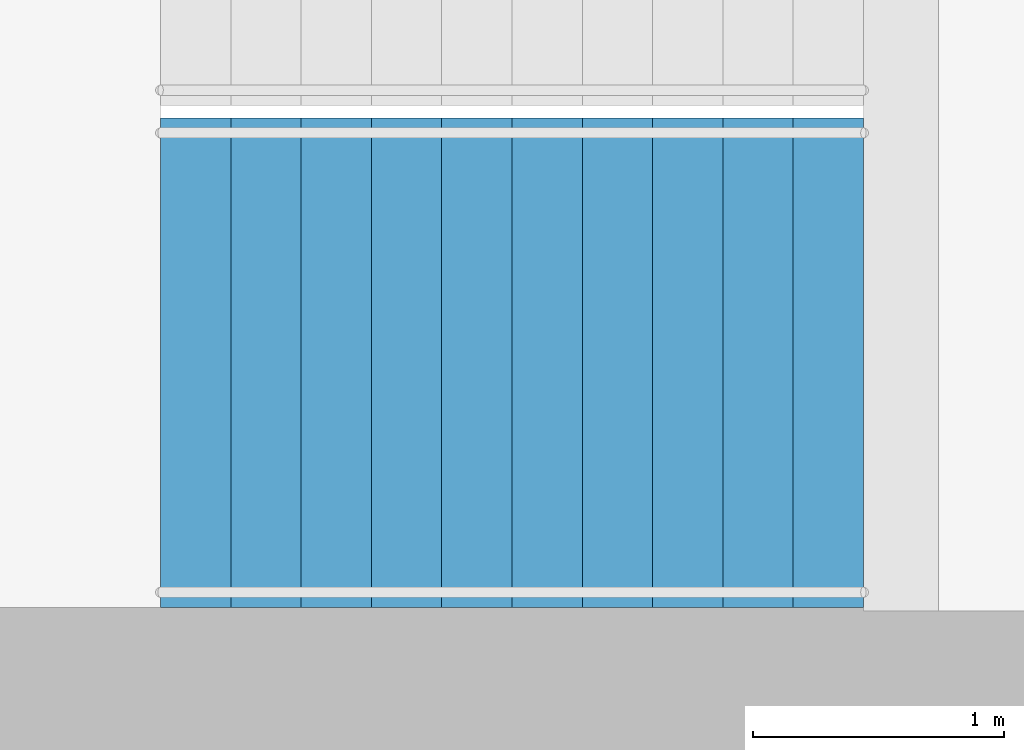
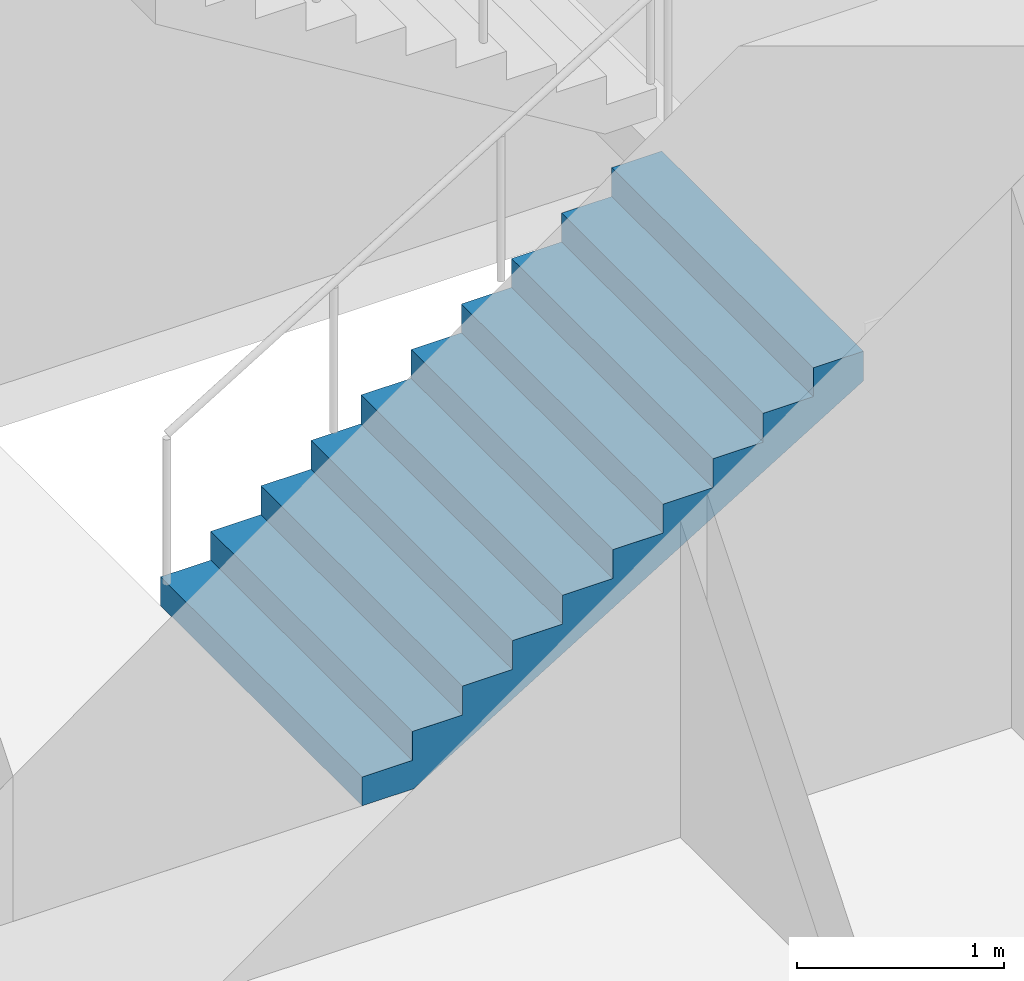
# One storey, part 19 of 23: 1 stair flight, 1 element without a shape of its own.
"""IFC4 building model written with IfcOpenShell, lengths in metres."""

import ifcopenshell
import ifcopenshell.guid

model = None  # the IFC model being written
_history = None  # IfcOwnerHistory: only IFC2X3 demands one
_inside = {}  # id of a spatial element -> (the spatial element, [elements in it])
_under = {}  # id of a project, library or spatial element -> (it, [spatial elements below it])
_declared = {}  # id of a project -> (the project, [libraries it declares])
_typed = {}  # id of a type object -> (the type object, [elements of that type])
_made_of = {}  # id of a material, layer set ... -> (it, [elements and type objects made of it])


def new_model(schema):
    """Start an empty IFC model of exactly this schema.

    Asked for "IFC4X3", IfcOpenShell would pick the latest addendum, in which some entities
    have other attributes; the version numbers below select the first issue.
    IFC2X3 requires an IfcOwnerHistory on every rooted entity: one is made here for all.
    """
    global model, _history
    if schema == "IFC4X3":
        model = ifcopenshell.file(schema_version=(4, 3, 0, 0))
    else:
        model = ifcopenshell.file(schema=schema)
    _inside.clear()
    _under.clear()
    _declared.clear()
    _typed.clear()
    _made_of.clear()
    _history = None
    if model.schema == "IFC2X3":
        org = make("IfcOrganization", Name="unknown")
        user = make(
            "IfcPersonAndOrganization",
            ThePerson=make("IfcPerson", FamilyName="unknown"),
            TheOrganization=org,
        )
        app = make(
            "IfcApplication",
            ApplicationDeveloper=org,
            Version="unknown",
            ApplicationFullName="unknown",
            ApplicationIdentifier="unknown",
        )
        _history = make(
            "IfcOwnerHistory",
            OwningUser=user,
            OwningApplication=app,
            ChangeAction="ADDED",
            CreationDate=0,
        )
    return model


def make(cls, **values):
    """One entity of the class cls with the attributes given. An attribute that is None is left unset."""
    return model.create_entity(
        cls, **{name: value for name, value in values.items() if value is not None}
    )


def rooted(cls, **values):
    """An entity with a GlobalId (a new one), such as an element, a storey or a relation."""
    return make(cls, GlobalId=ifcopenshell.guid.new(), OwnerHistory=_history, **values)


def si_unit(unit_type, name, prefix=None):
    """IfcSIUnit, for example si_unit("LENGTHUNIT", "METRE", prefix="MILLI")."""
    return make("IfcSIUnit", UnitType=unit_type, Prefix=prefix, Name=name)


def assignment(units):
    """IfcUnitAssignment: the units of a project."""
    return None if units is None else make("IfcUnitAssignment", Units=units)


def point(xyz):
    """IfcCartesianPoint."""
    return None if xyz is None else make("IfcCartesianPoint", Coordinates=xyz)


def direction(xyz):
    """IfcDirection."""
    return None if xyz is None else make("IfcDirection", DirectionRatios=xyz)


def frame(location, z_axis=None, x_axis=None):
    """IfcAxis2Placement3D, a coordinate frame: its origin and axes. An axis left out is left unset."""
    return make(
        "IfcAxis2Placement3D",
        Location=point(location),
        Axis=direction(z_axis),
        RefDirection=direction(x_axis),
    )


def origin():
    """The frame at (0, 0, 0) with its axes left unset."""
    return frame((0.0, 0.0, 0.0))


def place(relative_to, where):
    """IfcLocalPlacement: puts the frame where relative to a parent placement (None: the world)."""
    return make(
        "IfcLocalPlacement", PlacementRelTo=relative_to, RelativePlacement=where
    )


def context(
    kind, dimensions, precision=None, world=None, true_north=None, identifier=None
):
    """IfcGeometricRepresentationContext, for example the 3D "Model" context."""
    return make(
        "IfcGeometricRepresentationContext",
        ContextIdentifier=identifier,
        ContextType=kind,
        CoordinateSpaceDimension=dimensions,
        Precision=precision,
        WorldCoordinateSystem=world,
        TrueNorth=true_north,
    )


def subcontext(parent, identifier, kind, view, scale=None):
    """IfcGeometricRepresentationSubContext, for example "Body" below "Model"."""
    return make(
        "IfcGeometricRepresentationSubContext",
        ContextIdentifier=identifier,
        ContextType=kind,
        ParentContext=parent,
        TargetScale=scale,
        TargetView=view,
    )


def project(units=None, contexts=None):
    """IfcProject with its units and contexts."""
    return rooted(
        "IfcProject",
        Name="project",
        RepresentationContexts=contexts,
        UnitsInContext=assignment(units),
    )


def spatial(cls, under=None, at=None, **own):
    """A site, building, storey or space (cls), placed at a placement, below another one or the project."""
    s = rooted(cls, ObjectPlacement=at, **own)
    if under is not None:
        _under.setdefault(under.id(), (under, []))[1].append(s)
    return s


def point_list(points):
    """IfcCartesianPointList2D or 3D."""
    cls = (
        "IfcCartesianPointList2D" if len(points[0]) == 2 else "IfcCartesianPointList3D"
    )
    return make(cls, CoordList=points)


def triangles(points, corners, closed=None, point_numbers=None):
    """IfcTriangulatedFaceSet: each triangle names its three corners, points numbered from 1."""
    return make(
        "IfcTriangulatedFaceSet",
        Coordinates=point_list(points),
        Closed=closed,
        CoordIndex=corners,
        PnIndex=point_numbers,
    )


def shape(context_of_items, identifier, shape_type, items):
    """IfcShapeRepresentation: the items that make up one representation, for example the "Body"."""
    return make(
        "IfcShapeRepresentation",
        ContextOfItems=context_of_items,
        RepresentationIdentifier=identifier,
        RepresentationType=shape_type,
        Items=items,
    )


def material(Name=None, Category=None):
    """IfcMaterial."""
    return make("IfcMaterial", Name=Name, Category=Category)


def made_of(thing, what):
    """Note that an element or type object is made of a material, layer set ...; save() writes the relation."""
    if what is not None:
        _made_of.setdefault(what.id(), (what, []))[1].append(thing)
    return thing


def type_object(cls, material=None, **own):
    """A type object (cls), such as IfcWallType, which elements share."""
    return made_of(rooted(cls, **own), material)


def element(
    cls,
    number,
    at=None,
    inside=None,
    cuts=None,
    type_object=None,
    material=None,
    context=None,
    identifier="Body",
    shape_type=None,
    held_by="IfcProductDefinitionShape",
    body=None,
    shapes=None,
    **own,
):
    """One element of the class cls, such as IfcWall. Its Tag is "e" and its number.

    at: its placement. inside: the storey or other place that contains it. cuts: it is an
    opening in that element (IfcRelVoidsElement). A single representation is given by context,
    identifier, shape_type and body (its items); several are given by shapes. held_by: the class
    of the entity that holds the representations. save() writes the other relations.
    """
    e = rooted(cls, Tag="e%d" % number, ObjectPlacement=at, **own)
    if body is not None:
        shapes = [shape(context, identifier, shape_type, body)]
    if shapes is not None:
        e.Representation = make(held_by, Representations=shapes)
    if inside is not None:
        _inside.setdefault(inside.id(), (inside, []))[1].append(e)
    if cuts is not None:
        rooted(
            "IfcRelVoidsElement", RelatingBuildingElement=cuts, RelatedOpeningElement=e
        )
    if type_object is not None:
        _typed.setdefault(type_object.id(), (type_object, []))[1].append(e)
    return made_of(e, material)


def aggregate(whole, parts):
    """IfcRelAggregates: a whole, such as a stair, and the parts it consists of."""
    return rooted("IfcRelAggregates", RelatingObject=whole, RelatedObjects=parts)


def save(model, path):
    """Write the relations noted so far, then the file.

    IfcRelAggregates (storeys below a building ...), IfcRelContainedInSpatialStructure (elements
    in a storey), IfcRelDefinesByType, IfcRelAssociatesMaterial and IfcRelDeclares: one each for
    every whole, place, type object, material and project.
    """
    for whole, parts in _under.values():
        aggregate(whole, parts)
    for where, things in _inside.values():
        rooted(
            "IfcRelContainedInSpatialStructure",
            RelatedElements=things,
            RelatingStructure=where,
        )
    for kind, things in _typed.values():
        rooted("IfcRelDefinesByType", RelatedObjects=things, RelatingType=kind)
    for what, things in _made_of.values():
        rooted("IfcRelAssociatesMaterial", RelatedObjects=things, RelatingMaterial=what)
    for by, libraries in _declared.values():
        rooted("IfcRelDeclares", RelatingContext=by, RelatedDefinitions=libraries)
    model.write(path)


model = new_model("IFC4")

# Units and contexts
model_context = context("Model", 3, precision=1e-05, world=origin(), true_north=direction((0.0, 1.0)))
body_context = subcontext(model_context, "Body", "Model", "MODEL_VIEW")
ifc_project = project(units=[si_unit("LENGTHUNIT", "METRE"), si_unit("AREAUNIT", "SQUARE_METRE"), si_unit("VOLUMEUNIT", "CUBIC_METRE"), si_unit("PLANEANGLEUNIT", "RADIAN"), si_unit("MASSUNIT", "GRAM", prefix="KILO")], contexts=[model_context])

# Site, building, storey
site_placement = place(None, origin())
site = spatial("IfcSite", under=ifc_project, at=site_placement, CompositionType="ELEMENT")
building_placement = place(site_placement, origin())
building = spatial("IfcBuilding", under=site, at=building_placement, Name="Orbita Commons", CompositionType="ELEMENT")
storey_placement = place(building_placement, frame((0.0, 0.0, 65.199951171875)))
storey = spatial("IfcBuildingStorey", under=building, at=storey_placement, Name="L16", CompositionType="ELEMENT", Elevation=65.199951171875)

# Stair, stair flight
ifc_material_1 = material(Name="Precast concrete C40/50", Category="concrete")
stair_type = type_object("IfcStairType", Name="Exit stair S1 2 flights 11 risers 170", PredefinedType="HALF_TURN_STAIR", material=ifc_material_1)
stair_placement = place(storey_placement, origin())
stair = element("IfcStair", 1, at=stair_placement, inside=storey, type_object=stair_type, Name="Exit stair S1 L16", PredefinedType="HALF_TURN_STAIR")
ifc_material_2 = material(Name="Precast concrete C40/50", Category="concrete")
stair_flight_type = type_object("IfcStairFlightType", Name="Stair flight 11 risers 170 x 280", PredefinedType="STRAIGHT", material=ifc_material_2)
stair_flight_placement = place(storey_placement, frame((20.449951171875, 27.27490234375, 0.0), z_axis=(0.0, 0.0, 1.0), x_axis=(1.0, 0.0, 0.0)))
stair_flight = element("IfcStairFlight", 2, at=stair_flight_placement, type_object=stair_flight_type, Name="S1 flight 1", NumberOfRisers=11, NumberOfTreads=10, PredefinedType="STRAIGHT", RiserHeight=0.170454545, TreadLength=0.28, context=body_context, shape_type="Tessellation", body=[
    triangles([(0.0, 0.974976, 0.0), (0.0, 0.974976, 0.021307), (0.0, 0.81248, 0.021307), (0.0, 0.81248, 0.0), (0.0, 0.649984, 0.021307), (0.0, 0.649984, 0.0), (0.0, 0.487488, 0.021307), (0.0, 0.487488, 0.0), (0.0, 0.324992, 0.021307), (0.0, 0.324992, 0.0), (0.0, 0.162496, 0.021307), (0.0, 0.162496, 0.0), (0.0, 0.0, 0.021307), (0.0, 0.0, 0.0), (0.0, -0.162496, 0.021307), (0.0, -0.162496, 0.0), (0.0, -0.324992, 0.021307), (0.0, -0.324992, 0.0), (0.0, -0.487488, 0.021307), (0.0, -0.487488, 0.0), (0.0, -0.649984, 0.021307), (0.0, -0.649984, 0.0), (0.0, -0.81248, 0.021307), (0.0, -0.81248, 0.0), (0.0, -0.974976, 0.021307), (0.0, -0.974976, 0.0), (0.0, 0.974976, 0.042614), (0.0, 0.81248, 0.042614), (0.0, 0.649984, 0.042614), (0.0, 0.487488, 0.042614), (0.0, 0.324992, 0.042614), (0.0, 0.162496, 0.042614), (0.0, 0.0, 0.042614), (0.0, -0.162496, 0.042614), (0.0, -0.324992, 0.042614), (0.0, -0.487488, 0.042614), (0.0, -0.649984, 0.042614), (0.0, -0.81248, 0.042614), (0.0, -0.974976, 0.042614), (0.0, 0.974976, 0.06392), (0.0, 0.81248, 0.06392), (0.0, 0.649984, 0.06392), (0.0, 0.487488, 0.06392), (0.0, 0.324992, 0.06392), (0.0, 0.162496, 0.06392), (0.0, 0.0, 0.06392), (0.0, -0.162496, 0.06392), (0.0, -0.324992, 0.06392), (0.0, -0.487488, 0.06392), (0.0, -0.649984, 0.06392), (0.0, -0.81248, 0.06392), (0.0, -0.974976, 0.06392), (0.0, 0.974976, 0.085227), (0.0, 0.81248, 0.085227), (0.0, 0.649984, 0.085227), (0.0, 0.487488, 0.085227), (0.0, 0.324992, 0.085227), (0.0, 0.162496, 0.085227), (0.0, 0.0, 0.085227), (0.0, -0.162496, 0.085227), (0.0, -0.324992, 0.085227), (0.0, -0.487488, 0.085227), (0.0, -0.649984, 0.085227), (0.0, -0.81248, 0.085227), (0.0, -0.974976, 0.085227), (0.0, 0.974976, 0.106534), (0.0, 0.81248, 0.106534), (0.0, 0.649984, 0.106534), (0.0, 0.487488, 0.106534), (0.0, 0.324992, 0.106534), (0.0, 0.162496, 0.106534), (0.0, 0.0, 0.106534), (0.0, -0.162496, 0.106534), (0.0, -0.324992, 0.106534), (0.0, -0.487488, 0.106534), (0.0, -0.649984, 0.106534), (0.0, -0.81248, 0.106534), (0.0, -0.974976, 0.106534), (0.0, 0.974976, 0.127841), (0.0, 0.81248, 0.127841), (0.0, 0.649984, 0.127841), (0.0, 0.487488, 0.127841), (0.0, 0.324992, 0.127841), (0.0, 0.162496, 0.127841), (0.0, 0.0, 0.127841), (0.0, -0.162496, 0.127841), (0.0, -0.324992, 0.127841), (0.0, -0.487488, 0.127841), (0.0, -0.649984, 0.127841), (0.0, -0.81248, 0.127841), (0.0, -0.974976, 0.127841), (0.0, 0.974976, 0.149148), (0.0, 0.81248, 0.149148), (0.0, 0.649984, 0.149148), (0.0, 0.487488, 0.149148), (0.0, 0.324992, 0.149148), (0.0, 0.162496, 0.149148), (0.0, 0.0, 0.149148), (0.0, -0.162496, 0.149148), (0.0, -0.324992, 0.149148), (0.0, -0.487488, 0.149148), (0.0, -0.649984, 0.149148), (0.0, -0.81248, 0.149148), (0.0, -0.974976, 0.149148), (0.0, 0.974976, 0.170455), (0.0, 0.81248, 0.170455), (0.0, 0.649984, 0.170455), (0.0, 0.487488, 0.170455), (0.0, 0.324992, 0.170455), (0.0, 0.162496, 0.170455), (0.0, 0.0, 0.170455), (0.0, -0.162496, 0.170455), (0.0, -0.324992, 0.170455), (0.0, -0.487488, 0.170455), (0.0, -0.649984, 0.170455), (0.0, -0.81248, 0.170455), (0.0, -0.974976, 0.170455), (0.28, 0.974976, 0.170455), (0.28, 0.81248, 0.170455), (0.28, 0.649984, 0.170455), (0.28, 0.487488, 0.170455), (0.28, 0.324992, 0.170455), (0.28, 0.162496, 0.170455), (0.28, 0.0, 0.170455), (0.28, -0.162496, 0.170455), (0.28, -0.324992, 0.170455), (0.28, -0.487488, 0.170455), (0.28, -0.649984, 0.170455), (0.28, -0.81248, 0.170455), (0.28, -0.974976, 0.170455), (0.28, 0.974976, 0.340909), (0.28, 0.81248, 0.340909), (0.28, 0.649984, 0.340909), (0.28, 0.487488, 0.340909), (0.28, 0.324992, 0.340909), (0.28, 0.162496, 0.340909), (0.28, 0.0, 0.340909), (0.28, -0.162496, 0.340909), (0.28, -0.324992, 0.340909), (0.28, -0.487488, 0.340909), (0.28, -0.649984, 0.340909), (0.28, -0.81248, 0.340909), (0.28, -0.974976, 0.340909), (0.56, 0.974976, 0.340909), (0.56, 0.81248, 0.340909), (0.56, 0.649984, 0.340909), (0.56, 0.487488, 0.340909), (0.56, 0.324992, 0.340909), (0.56, 0.162496, 0.340909), (0.56, 0.0, 0.340909), (0.56, -0.162496, 0.340909), (0.56, -0.324992, 0.340909), (0.56, -0.487488, 0.340909), (0.56, -0.649984, 0.340909), (0.56, -0.81248, 0.340909), (0.56, -0.974976, 0.340909), (0.56, 0.974976, 0.511364), (0.56, 0.81248, 0.511364), (0.56, 0.649984, 0.511364), (0.56, 0.487488, 0.511364), (0.56, 0.324992, 0.511364), (0.56, 0.162496, 0.511364), (0.56, 0.0, 0.511364), (0.56, -0.162496, 0.511364), (0.56, -0.324992, 0.511364), (0.56, -0.487488, 0.511364), (0.56, -0.649984, 0.511364), (0.56, -0.81248, 0.511364), (0.56, -0.974976, 0.511364), (0.84, 0.974976, 0.511364), (0.84, 0.81248, 0.511364), (0.84, 0.649984, 0.511364), (0.84, 0.487488, 0.511364), (0.84, 0.324992, 0.511364), (0.84, 0.162496, 0.511364), (0.84, 0.0, 0.511364), (0.84, -0.162496, 0.511364), (0.84, -0.324992, 0.511364), (0.84, -0.487488, 0.511364), (0.84, -0.649984, 0.511364), (0.84, -0.81248, 0.511364), (0.84, -0.974976, 0.511364), (0.84, 0.974976, 0.681818), (0.84, 0.81248, 0.681818), (0.84, 0.649984, 0.681818), (0.84, 0.487488, 0.681818), (0.84, 0.324992, 0.681818), (0.84, 0.162496, 0.681818), (0.84, 0.0, 0.681818), (0.84, -0.162496, 0.681818), (0.84, -0.324992, 0.681818), (0.84, -0.487488, 0.681818), (0.84, -0.649984, 0.681818), (0.84, -0.81248, 0.681818), (0.84, -0.974976, 0.681818), (1.12, 0.974976, 0.681818), (1.12, 0.81248, 0.681818), (1.12, 0.649984, 0.681818), (1.12, 0.487488, 0.681818), (1.12, 0.324992, 0.681818), (1.12, 0.162496, 0.681818), (1.12, 0.0, 0.681818), (1.12, -0.162496, 0.681818), (1.12, -0.324992, 0.681818), (1.12, -0.487488, 0.681818), (1.12, -0.649984, 0.681818), (1.12, -0.81248, 0.681818), (1.12, -0.974976, 0.681818), (1.12, 0.974976, 0.852273), (1.12, 0.81248, 0.852273), (1.12, 0.649984, 0.852273), (1.12, 0.487488, 0.852273), (1.12, 0.324992, 0.852273), (1.12, 0.162496, 0.852273), (1.12, 0.0, 0.852273), (1.12, -0.162496, 0.852273), (1.12, -0.324992, 0.852273), (1.12, -0.487488, 0.852273), (1.12, -0.649984, 0.852273), (1.12, -0.81248, 0.852273), (1.12, -0.974976, 0.852273), (1.4, 0.974976, 0.852273), (1.4, 0.81248, 0.852273), (1.4, 0.649984, 0.852273), (1.4, 0.487488, 0.852273), (1.4, 0.324992, 0.852273), (1.4, 0.162496, 0.852273), (1.4, 0.0, 0.852273), (1.4, -0.162496, 0.852273), (1.4, -0.324992, 0.852273), (1.4, -0.487488, 0.852273), (1.4, -0.649984, 0.852273), (1.4, -0.81248, 0.852273), (1.4, -0.974976, 0.852273), (1.4, 0.974976, 1.022727), (1.4, 0.81248, 1.022727), (1.4, 0.649984, 1.022727), (1.4, 0.487488, 1.022727), (1.4, 0.324992, 1.022727), (1.4, 0.162496, 1.022727), (1.4, 0.0, 1.022727), (1.4, -0.162496, 1.022727), (1.4, -0.324992, 1.022727), (1.4, -0.487488, 1.022727), (1.4, -0.649984, 1.022727), (1.4, -0.81248, 1.022727), (1.4, -0.974976, 1.022727), (1.68, 0.974976, 1.022727), (1.68, 0.81248, 1.022727), (1.68, 0.649984, 1.022727), (1.68, 0.487488, 1.022727), (1.68, 0.324992, 1.022727), (1.68, 0.162496, 1.022727), (1.68, 0.0, 1.022727), (1.68, -0.162496, 1.022727), (1.68, -0.324992, 1.022727), (1.68, -0.487488, 1.022727), (1.68, -0.649984, 1.022727), (1.68, -0.81248, 1.022727), (1.68, -0.974976, 1.022727), (1.68, 0.974976, 1.193182), (1.68, 0.81248, 1.193182), (1.68, 0.649984, 1.193182), (1.68, 0.487488, 1.193182), (1.68, 0.324992, 1.193182), (1.68, 0.162496, 1.193182), (1.68, 0.0, 1.193182), (1.68, -0.162496, 1.193182), (1.68, -0.324992, 1.193182), (1.68, -0.487488, 1.193182), (1.68, -0.649984, 1.193182), (1.68, -0.81248, 1.193182), (1.68, -0.974976, 1.193182), (1.96, 0.974976, 1.193182), (1.96, 0.81248, 1.193182), (1.96, 0.649984, 1.193182), (1.96, 0.487488, 1.193182), (1.96, 0.324992, 1.193182), (1.96, 0.162496, 1.193182), (1.96, 0.0, 1.193182), (1.96, -0.162496, 1.193182), (1.96, -0.324992, 1.193182), (1.96, -0.487488, 1.193182), (1.96, -0.649984, 1.193182), (1.96, -0.81248, 1.193182), (1.96, -0.974976, 1.193182), (1.96, 0.974976, 1.363636), (1.96, 0.81248, 1.363636), (1.96, 0.649984, 1.363636), (1.96, 0.487488, 1.363636), (1.96, 0.324992, 1.363636), (1.96, 0.162496, 1.363636), (1.96, 0.0, 1.363636), (1.96, -0.162496, 1.363636), (1.96, -0.324992, 1.363636), (1.96, -0.487488, 1.363636), (1.96, -0.649984, 1.363636), (1.96, -0.81248, 1.363636), (1.96, -0.974976, 1.363636), (2.24, 0.974976, 1.363636), (2.24, 0.81248, 1.363636), (2.24, 0.649984, 1.363636), (2.24, 0.487488, 1.363636), (2.24, 0.324992, 1.363636), (2.24, 0.162496, 1.363636), (2.24, 0.0, 1.363636), (2.24, -0.162496, 1.363636), (2.24, -0.324992, 1.363636), (2.24, -0.487488, 1.363636), (2.24, -0.649984, 1.363636), (2.24, -0.81248, 1.363636), (2.24, -0.974976, 1.363636), (2.24, 0.974976, 1.534091), (2.24, 0.81248, 1.534091), (2.24, 0.649984, 1.534091), (2.24, 0.487488, 1.534091), (2.24, 0.324992, 1.534091), (2.24, 0.162496, 1.534091), (2.24, 0.0, 1.534091), (2.24, -0.162496, 1.534091), (2.24, -0.324992, 1.534091), (2.24, -0.487488, 1.534091), (2.24, -0.649984, 1.534091), (2.24, -0.81248, 1.534091), (2.24, -0.974976, 1.534091), (2.52, 0.974976, 1.534091), (2.52, 0.81248, 1.534091), (2.52, 0.649984, 1.534091), (2.52, 0.487488, 1.534091), (2.52, 0.324992, 1.534091), (2.52, 0.162496, 1.534091), (2.52, 0.0, 1.534091), (2.52, -0.162496, 1.534091), (2.52, -0.324992, 1.534091), (2.52, -0.487488, 1.534091), (2.52, -0.649984, 1.534091), (2.52, -0.81248, 1.534091), (2.52, -0.974976, 1.534091), (2.52, 0.974976, 1.704545), (2.52, 0.81248, 1.704545), (2.52, 0.649984, 1.704545), (2.52, 0.487488, 1.704545), (2.52, 0.324992, 1.704545), (2.52, 0.162496, 1.704545), (2.52, 0.0, 1.704545), (2.52, -0.162496, 1.704545), (2.52, -0.324992, 1.704545), (2.52, -0.487488, 1.704545), (2.52, -0.649984, 1.704545), (2.52, -0.81248, 1.704545), (2.52, -0.974976, 1.704545), (2.8, 0.974976, 1.704545), (2.8, 0.81248, 1.704545), (2.8, 0.649984, 1.704545), (2.8, 0.487488, 1.704545), (2.8, 0.324992, 1.704545), (2.8, 0.162496, 1.704545), (2.8, 0.0, 1.704545), (2.8, -0.162496, 1.704545), (2.8, -0.324992, 1.704545), (2.8, -0.487488, 1.704545), (2.8, -0.649984, 1.704545), (2.8, -0.81248, 1.704545), (2.8, -0.974976, 1.704545), (2.8, 0.974976, 1.682609), (2.8, 0.81248, 1.682609), (2.8, 0.649984, 1.682609), (2.8, 0.487488, 1.682609), (2.8, 0.324992, 1.682609), (2.8, 0.162496, 1.682609), (2.8, 0.0, 1.682609), (2.8, -0.162496, 1.682609), (2.8, -0.324992, 1.682609), (2.8, -0.487488, 1.682609), (2.8, -0.649984, 1.682609), (2.8, -0.81248, 1.682609), (2.8, -0.974976, 1.682609), (2.8, 0.974976, 1.660672), (2.8, 0.81248, 1.660672), (2.8, 0.649984, 1.660672), (2.8, 0.487488, 1.660672), (2.8, 0.324992, 1.660672), (2.8, 0.162496, 1.660672), (2.8, 0.0, 1.660672), (2.8, -0.162496, 1.660672), (2.8, -0.324992, 1.660672), (2.8, -0.487488, 1.660672), (2.8, -0.649984, 1.660672), (2.8, -0.81248, 1.660672), (2.8, -0.974976, 1.660672), (2.8, 0.974976, 1.638735), (2.8, 0.81248, 1.638735), (2.8, 0.649984, 1.638735), (2.8, 0.487488, 1.638735), (2.8, 0.324992, 1.638735), (2.8, 0.162496, 1.638735), (2.8, 0.0, 1.638735), (2.8, -0.162496, 1.638735), (2.8, -0.324992, 1.638735), (2.8, -0.487488, 1.638735), (2.8, -0.649984, 1.638735), (2.8, -0.81248, 1.638735), (2.8, -0.974976, 1.638735), (2.8, 0.974976, 1.616798), (2.8, 0.81248, 1.616798), (2.8, 0.649984, 1.616798), (2.8, 0.487488, 1.616798), (2.8, 0.324992, 1.616798), (2.8, 0.162496, 1.616798), (2.8, 0.0, 1.616798), (2.8, -0.162496, 1.616798), (2.8, -0.324992, 1.616798), (2.8, -0.487488, 1.616798), (2.8, -0.649984, 1.616798), (2.8, -0.81248, 1.616798), (2.8, -0.974976, 1.616798), (2.8, 0.974976, 1.594861), (2.8, 0.81248, 1.594861), (2.8, 0.649984, 1.594861), (2.8, 0.487488, 1.594861), (2.8, 0.324992, 1.594861), (2.8, 0.162496, 1.594861), (2.8, 0.0, 1.594861), (2.8, -0.162496, 1.594861), (2.8, -0.324992, 1.594861), (2.8, -0.487488, 1.594861), (2.8, -0.649984, 1.594861), (2.8, -0.81248, 1.594861), (2.8, -0.974976, 1.594861), (2.8, 0.974976, 1.572925), (2.8, 0.81248, 1.572925), (2.8, 0.649984, 1.572925), (2.8, 0.487488, 1.572925), (2.8, 0.324992, 1.572925), (2.8, 0.162496, 1.572925), (2.8, 0.0, 1.572925), (2.8, -0.162496, 1.572925), (2.8, -0.324992, 1.572925), (2.8, -0.487488, 1.572925), (2.8, -0.649984, 1.572925), (2.8, -0.81248, 1.572925), (2.8, -0.974976, 1.572925), (2.8, 0.974976, 1.550988), (2.8, 0.81248, 1.550988), (2.8, 0.649984, 1.550988), (2.8, 0.487488, 1.550988), (2.8, 0.324992, 1.550988), (2.8, 0.162496, 1.550988), (2.8, 0.0, 1.550988), (2.8, -0.162496, 1.550988), (2.8, -0.324992, 1.550988), (2.8, -0.487488, 1.550988), (2.8, -0.649984, 1.550988), (2.8, -0.81248, 1.550988), (2.8, -0.974976, 1.550988), (2.8, 0.974976, 1.529051), (2.8, 0.81248, 1.529051), (2.8, 0.649984, 1.529051), (2.8, 0.487488, 1.529051), (2.8, 0.324992, 1.529051), (2.8, 0.162496, 1.529051), (2.8, 0.0, 1.529051), (2.8, -0.162496, 1.529051), (2.8, -0.324992, 1.529051), (2.8, -0.487488, 1.529051), (2.8, -0.649984, 1.529051), (2.8, -0.81248, 1.529051), (2.8, -0.974976, 1.529051), (0.288279, 0.974976, 0.0), (0.288279, 0.81248, 0.0), (0.288279, 0.649984, 0.0), (0.288279, 0.487488, 0.0), (0.288279, 0.324992, 0.0), (0.288279, 0.162496, 0.0), (0.288279, 0.0, 0.0), (0.288279, -0.162496, 0.0), (0.288279, -0.324992, 0.0), (0.288279, -0.487488, 0.0), (0.288279, -0.649984, 0.0), (0.288279, -0.81248, 0.0), (0.288279, -0.974976, 0.0)], [[3, 2, 1], [4, 3, 1], [5, 3, 4], [6, 5, 4], [7, 5, 6], [8, 7, 6], [9, 7, 8], [10, 9, 8], [11, 9, 10], [12, 11, 10], [13, 11, 12], [14, 13, 12], [15, 13, 14], [16, 15, 14], [17, 15, 16], [18, 17, 16], [19, 17, 18], [20, 19, 18], [21, 19, 20], [22, 21, 20], [23, 21, 22], [24, 23, 22], [25, 23, 24], [26, 25, 24], [28, 27, 2], [3, 28, 2], [29, 28, 3], [5, 29, 3], [30, 29, 5], [7, 30, 5], [31, 30, 7], [9, 31, 7], [32, 31, 9], [11, 32, 9], [33, 32, 11], [13, 33, 11], [34, 33, 13], [15, 34, 13], [35, 34, 15], [17, 35, 15], [36, 35, 17], [19, 36, 17], [37, 36, 19], [21, 37, 19], [38, 37, 21], [23, 38, 21], [39, 38, 23], [25, 39, 23], [41, 40, 27], [28, 41, 27], [42, 41, 28], [29, 42, 28], [43, 42, 29], [30, 43, 29], [44, 43, 30], [31, 44, 30], [45, 44, 31], [32, 45, 31], [46, 45, 32], [33, 46, 32], [47, 46, 33], [34, 47, 33], [48, 47, 34], [35, 48, 34], [49, 48, 35], [36, 49, 35], [50, 49, 36], [37, 50, 36], [51, 50, 37], [38, 51, 37], [52, 51, 38], [39, 52, 38], [54, 53, 40], [41, 54, 40], [55, 54, 41], [42, 55, 41], [56, 55, 42], [43, 56, 42], [57, 56, 43], [44, 57, 43], [58, 57, 44], [45, 58, 44], [59, 58, 45], [46, 59, 45], [60, 59, 46], [47, 60, 46], [61, 60, 47], [48, 61, 47], [62, 61, 48], [49, 62, 48], [63, 62, 49], [50, 63, 49], [64, 63, 50], [51, 64, 50], [65, 64, 51], [52, 65, 51], [67, 66, 53], [54, 67, 53], [68, 67, 54], [55, 68, 54], [69, 68, 55], [56, 69, 55], [70, 69, 56], [57, 70, 56], [71, 70, 57], [58, 71, 57], [72, 71, 58], [59, 72, 58], [73, 72, 59], [60, 73, 59], [74, 73, 60], [61, 74, 60], [75, 74, 61], [62, 75, 61], [76, 75, 62], [63, 76, 62], [77, 76, 63], [64, 77, 63], [78, 77, 64], [65, 78, 64], [80, 79, 66], [67, 80, 66], [81, 80, 67], [68, 81, 67], [82, 81, 68], [69, 82, 68], [83, 82, 69], [70, 83, 69], [84, 83, 70], [71, 84, 70], [85, 84, 71], [72, 85, 71], [86, 85, 72], [73, 86, 72], [87, 86, 73], [74, 87, 73], [88, 87, 74], [75, 88, 74], [89, 88, 75], [76, 89, 75], [90, 89, 76], [77, 90, 76], [91, 90, 77], [78, 91, 77], [93, 92, 79], [80, 93, 79], [94, 93, 80], [81, 94, 80], [95, 94, 81], [82, 95, 81], [96, 95, 82], [83, 96, 82], [97, 96, 83], [84, 97, 83], [98, 97, 84], [85, 98, 84], [99, 98, 85], [86, 99, 85], [100, 99, 86], [87, 100, 86], [101, 100, 87], [88, 101, 87], [102, 101, 88], [89, 102, 88], [103, 102, 89], [90, 103, 89], [104, 103, 90], [91, 104, 90], [106, 105, 92], [93, 106, 92], [107, 106, 93], [94, 107, 93], [108, 107, 94], [95, 108, 94], [109, 108, 95], [96, 109, 95], [110, 109, 96], [97, 110, 96], [111, 110, 97], [98, 111, 97], [112, 111, 98], [99, 112, 98], [113, 112, 99], [100, 113, 99], [114, 113, 100], [101, 114, 100], [115, 114, 101], [102, 115, 101], [116, 115, 102], [103, 116, 102], [117, 116, 103], [104, 117, 103], [119, 118, 105], [106, 119, 105], [120, 119, 106], [107, 120, 106], [121, 120, 107], [108, 121, 107], [122, 121, 108], [109, 122, 108], [123, 122, 109], [110, 123, 109], [124, 123, 110], [111, 124, 110], [125, 124, 111], [112, 125, 111], [126, 125, 112], [113, 126, 112], [127, 126, 113], [114, 127, 113], [128, 127, 114], [115, 128, 114], [129, 128, 115], [116, 129, 115], [130, 129, 116], [117, 130, 116], [132, 131, 118], [119, 132, 118], [133, 132, 119], [120, 133, 119], [134, 133, 120], [121, 134, 120], [135, 134, 121], [122, 135, 121], [136, 135, 122], [123, 136, 122], [137, 136, 123], [124, 137, 123], [138, 137, 124], [125, 138, 124], [139, 138, 125], [126, 139, 125], [140, 139, 126], [127, 140, 126], [141, 140, 127], [128, 141, 127], [142, 141, 128], [129, 142, 128], [143, 142, 129], [130, 143, 129], [145, 144, 131], [132, 145, 131], [146, 145, 132], [133, 146, 132], [147, 146, 133], [134, 147, 133], [148, 147, 134], [135, 148, 134], [149, 148, 135], [136, 149, 135], [150, 149, 136], [137, 150, 136], [151, 150, 137], [138, 151, 137], [152, 151, 138], [139, 152, 138], [153, 152, 139], [140, 153, 139], [154, 153, 140], [141, 154, 140], [155, 154, 141], [142, 155, 141], [156, 155, 142], [143, 156, 142], [158, 157, 144], [145, 158, 144], [159, 158, 145], [146, 159, 145], [160, 159, 146], [147, 160, 146], [161, 160, 147], [148, 161, 147], [162, 161, 148], [149, 162, 148], [163, 162, 149], [150, 163, 149], [164, 163, 150], [151, 164, 150], [165, 164, 151], [152, 165, 151], [166, 165, 152], [153, 166, 152], [167, 166, 153], [154, 167, 153], [168, 167, 154], [155, 168, 154], [169, 168, 155], [156, 169, 155], [171, 170, 157], [158, 171, 157], [172, 171, 158], [159, 172, 158], [173, 172, 159], [160, 173, 159], [174, 173, 160], [161, 174, 160], [175, 174, 161], [162, 175, 161], [176, 175, 162], [163, 176, 162], [177, 176, 163], [164, 177, 163], [178, 177, 164], [165, 178, 164], [179, 178, 165], [166, 179, 165], [180, 179, 166], [167, 180, 166], [181, 180, 167], [168, 181, 167], [182, 181, 168], [169, 182, 168], [184, 183, 170], [171, 184, 170], [185, 184, 171], [172, 185, 171], [186, 185, 172], [173, 186, 172], [187, 186, 173], [174, 187, 173], [188, 187, 174], [175, 188, 174], [189, 188, 175], [176, 189, 175], [190, 189, 176], [177, 190, 176], [191, 190, 177], [178, 191, 177], [192, 191, 178], [179, 192, 178], [193, 192, 179], [180, 193, 179], [194, 193, 180], [181, 194, 180], [195, 194, 181], [182, 195, 181], [197, 196, 183], [184, 197, 183], [198, 197, 184], [185, 198, 184], [199, 198, 185], [186, 199, 185], [200, 199, 186], [187, 200, 186], [201, 200, 187], [188, 201, 187], [202, 201, 188], [189, 202, 188], [203, 202, 189], [190, 203, 189], [204, 203, 190], [191, 204, 190], [205, 204, 191], [192, 205, 191], [206, 205, 192], [193, 206, 192], [207, 206, 193], [194, 207, 193], [208, 207, 194], [195, 208, 194], [210, 209, 196], [197, 210, 196], [211, 210, 197], [198, 211, 197], [212, 211, 198], [199, 212, 198], [213, 212, 199], [200, 213, 199], [214, 213, 200], [201, 214, 200], [215, 214, 201], [202, 215, 201], [216, 215, 202], [203, 216, 202], [217, 216, 203], [204, 217, 203], [218, 217, 204], [205, 218, 204], [219, 218, 205], [206, 219, 205], [220, 219, 206], [207, 220, 206], [221, 220, 207], [208, 221, 207], [223, 222, 209], [210, 223, 209], [224, 223, 210], [211, 224, 210], [225, 224, 211], [212, 225, 211], [226, 225, 212], [213, 226, 212], [227, 226, 213], [214, 227, 213], [228, 227, 214], [215, 228, 214], [229, 228, 215], [216, 229, 215], [230, 229, 216], [217, 230, 216], [231, 230, 217], [218, 231, 217], [232, 231, 218], [219, 232, 218], [233, 232, 219], [220, 233, 219], [234, 233, 220], [221, 234, 220], [236, 235, 222], [223, 236, 222], [237, 236, 223], [224, 237, 223], [238, 237, 224], [225, 238, 224], [239, 238, 225], [226, 239, 225], [240, 239, 226], [227, 240, 226], [241, 240, 227], [228, 241, 227], [242, 241, 228], [229, 242, 228], [243, 242, 229], [230, 243, 229], [244, 243, 230], [231, 244, 230], [245, 244, 231], [232, 245, 231], [246, 245, 232], [233, 246, 232], [247, 246, 233], [234, 247, 233], [249, 248, 235], [236, 249, 235], [250, 249, 236], [237, 250, 236], [251, 250, 237], [238, 251, 237], [252, 251, 238], [239, 252, 238], [253, 252, 239], [240, 253, 239], [254, 253, 240], [241, 254, 240], [255, 254, 241], [242, 255, 241], [256, 255, 242], [243, 256, 242], [257, 256, 243], [244, 257, 243], [258, 257, 244], [245, 258, 244], [259, 258, 245], [246, 259, 245], [260, 259, 246], [247, 260, 246], [262, 261, 248], [249, 262, 248], [263, 262, 249], [250, 263, 249], [264, 263, 250], [251, 264, 250], [265, 264, 251], [252, 265, 251], [266, 265, 252], [253, 266, 252], [267, 266, 253], [254, 267, 253], [268, 267, 254], [255, 268, 254], [269, 268, 255], [256, 269, 255], [270, 269, 256], [257, 270, 256], [271, 270, 257], [258, 271, 257], [272, 271, 258], [259, 272, 258], [273, 272, 259], [260, 273, 259], [275, 274, 261], [262, 275, 261], [276, 275, 262], [263, 276, 262], [277, 276, 263], [264, 277, 263], [278, 277, 264], [265, 278, 264], [279, 278, 265], [266, 279, 265], [280, 279, 266], [267, 280, 266], [281, 280, 267], [268, 281, 267], [282, 281, 268], [269, 282, 268], [283, 282, 269], [270, 283, 269], [284, 283, 270], [271, 284, 270], [285, 284, 271], [272, 285, 271], [286, 285, 272], [273, 286, 272], [288, 287, 274], [275, 288, 274], [289, 288, 275], [276, 289, 275], [290, 289, 276], [277, 290, 276], [291, 290, 277], [278, 291, 277], [292, 291, 278], [279, 292, 278], [293, 292, 279], [280, 293, 279], [294, 293, 280], [281, 294, 280], [295, 294, 281], [282, 295, 281], [296, 295, 282], [283, 296, 282], [297, 296, 283], [284, 297, 283], [298, 297, 284], [285, 298, 284], [299, 298, 285], [286, 299, 285], [301, 300, 287], [288, 301, 287], [302, 301, 288], [289, 302, 288], [303, 302, 289], [290, 303, 289], [304, 303, 290], [291, 304, 290], [305, 304, 291], [292, 305, 291], [306, 305, 292], [293, 306, 292], [307, 306, 293], [294, 307, 293], [308, 307, 294], [295, 308, 294], [309, 308, 295], [296, 309, 295], [310, 309, 296], [297, 310, 296], [311, 310, 297], [298, 311, 297], [312, 311, 298], [299, 312, 298], [314, 313, 300], [301, 314, 300], [315, 314, 301], [302, 315, 301], [316, 315, 302], [303, 316, 302], [317, 316, 303], [304, 317, 303], [318, 317, 304], [305, 318, 304], [319, 318, 305], [306, 319, 305], [320, 319, 306], [307, 320, 306], [321, 320, 307], [308, 321, 307], [322, 321, 308], [309, 322, 308], [323, 322, 309], [310, 323, 309], [324, 323, 310], [311, 324, 310], [325, 324, 311], [312, 325, 311], [327, 326, 313], [314, 327, 313], [328, 327, 314], [315, 328, 314], [329, 328, 315], [316, 329, 315], [330, 329, 316], [317, 330, 316], [331, 330, 317], [318, 331, 317], [332, 331, 318], [319, 332, 318], [333, 332, 319], [320, 333, 319], [334, 333, 320], [321, 334, 320], [335, 334, 321], [322, 335, 321], [336, 335, 322], [323, 336, 322], [337, 336, 323], [324, 337, 323], [338, 337, 324], [325, 338, 324], [340, 339, 326], [327, 340, 326], [341, 340, 327], [328, 341, 327], [342, 341, 328], [329, 342, 328], [343, 342, 329], [330, 343, 329], [344, 343, 330], [331, 344, 330], [345, 344, 331], [332, 345, 331], [346, 345, 332], [333, 346, 332], [347, 346, 333], [334, 347, 333], [348, 347, 334], [335, 348, 334], [349, 348, 335], [336, 349, 335], [350, 349, 336], [337, 350, 336], [351, 350, 337], [338, 351, 337], [353, 352, 339], [340, 353, 339], [354, 353, 340], [341, 354, 340], [355, 354, 341], [342, 355, 341], [356, 355, 342], [343, 356, 342], [357, 356, 343], [344, 357, 343], [358, 357, 344], [345, 358, 344], [359, 358, 345], [346, 359, 345], [360, 359, 346], [347, 360, 346], [361, 360, 347], [348, 361, 347], [362, 361, 348], [349, 362, 348], [363, 362, 349], [350, 363, 349], [364, 363, 350], [351, 364, 350], [366, 365, 352], [353, 366, 352], [367, 366, 353], [354, 367, 353], [368, 367, 354], [355, 368, 354], [369, 368, 355], [356, 369, 355], [370, 369, 356], [357, 370, 356], [371, 370, 357], [358, 371, 357], [372, 371, 358], [359, 372, 358], [373, 372, 359], [360, 373, 359], [374, 373, 360], [361, 374, 360], [375, 374, 361], [362, 375, 361], [376, 375, 362], [363, 376, 362], [377, 376, 363], [364, 377, 363], [379, 378, 365], [366, 379, 365], [380, 379, 366], [367, 380, 366], [381, 380, 367], [368, 381, 367], [382, 381, 368], [369, 382, 368], [383, 382, 369], [370, 383, 369], [384, 383, 370], [371, 384, 370], [385, 384, 371], [372, 385, 371], [386, 385, 372], [373, 386, 372], [387, 386, 373], [374, 387, 373], [388, 387, 374], [375, 388, 374], [389, 388, 375], [376, 389, 375], [390, 389, 376], [377, 390, 376], [392, 391, 378], [379, 392, 378], [393, 392, 379], [380, 393, 379], [394, 393, 380], [381, 394, 380], [395, 394, 381], [382, 395, 381], [396, 395, 382], [383, 396, 382], [397, 396, 383], [384, 397, 383], [398, 397, 384], [385, 398, 384], [399, 398, 385], [386, 399, 385], [400, 399, 386], [387, 400, 386], [401, 400, 387], [388, 401, 387], [402, 401, 388], [389, 402, 388], [403, 402, 389], [390, 403, 389], [405, 404, 391], [392, 405, 391], [406, 405, 392], [393, 406, 392], [407, 406, 393], [394, 407, 393], [408, 407, 394], [395, 408, 394], [409, 408, 395], [396, 409, 395], [410, 409, 396], [397, 410, 396], [411, 410, 397], [398, 411, 397], [412, 411, 398], [399, 412, 398], [413, 412, 399], [400, 413, 399], [414, 413, 400], [401, 414, 400], [415, 414, 401], [402, 415, 401], [416, 415, 402], [403, 416, 402], [418, 417, 404], [405, 418, 404], [419, 418, 405], [406, 419, 405], [420, 419, 406], [407, 420, 406], [421, 420, 407], [408, 421, 407], [422, 421, 408], [409, 422, 408], [423, 422, 409], [410, 423, 409], [424, 423, 410], [411, 424, 410], [425, 424, 411], [412, 425, 411], [426, 425, 412], [413, 426, 412], [427, 426, 413], [414, 427, 413], [428, 427, 414], [415, 428, 414], [429, 428, 415], [416, 429, 415], [431, 430, 417], [418, 431, 417], [432, 431, 418], [419, 432, 418], [433, 432, 419], [420, 433, 419], [434, 433, 420], [421, 434, 420], [435, 434, 421], [422, 435, 421], [436, 435, 422], [423, 436, 422], [437, 436, 423], [424, 437, 423], [438, 437, 424], [425, 438, 424], [439, 438, 425], [426, 439, 425], [440, 439, 426], [427, 440, 426], [441, 440, 427], [428, 441, 427], [442, 441, 428], [429, 442, 428], [444, 443, 430], [431, 444, 430], [445, 444, 431], [432, 445, 431], [446, 445, 432], [433, 446, 432], [447, 446, 433], [434, 447, 433], [448, 447, 434], [435, 448, 434], [449, 448, 435], [436, 449, 435], [450, 449, 436], [437, 450, 436], [451, 450, 437], [438, 451, 437], [452, 451, 438], [439, 452, 438], [453, 452, 439], [440, 453, 439], [454, 453, 440], [441, 454, 440], [455, 454, 441], [442, 455, 441], [457, 456, 443], [444, 457, 443], [458, 457, 444], [445, 458, 444], [459, 458, 445], [446, 459, 445], [460, 459, 446], [447, 460, 446], [461, 460, 447], [448, 461, 447], [462, 461, 448], [449, 462, 448], [463, 462, 449], [450, 463, 449], [464, 463, 450], [451, 464, 450], [465, 464, 451], [452, 465, 451], [466, 465, 452], [453, 466, 452], [467, 466, 453], [454, 467, 453], [468, 467, 454], [455, 468, 454], [470, 469, 456], [457, 470, 456], [471, 470, 457], [458, 471, 457], [472, 471, 458], [459, 472, 458], [473, 472, 459], [460, 473, 459], [474, 473, 460], [461, 474, 460], [475, 474, 461], [462, 475, 461], [476, 475, 462], [463, 476, 462], [477, 476, 463], [464, 477, 463], [478, 477, 464], [465, 478, 464], [479, 478, 465], [466, 479, 465], [480, 479, 466], [467, 480, 466], [481, 480, 467], [468, 481, 467], [4, 1, 469], [470, 4, 469], [6, 4, 470], [471, 6, 470], [8, 6, 471], [472, 8, 471], [10, 8, 472], [473, 10, 472], [12, 10, 473], [474, 12, 473], [14, 12, 474], [475, 14, 474], [16, 14, 475], [476, 16, 475], [18, 16, 476], [477, 18, 476], [20, 18, 477], [478, 20, 477], [22, 20, 478], [479, 22, 478], [24, 22, 479], [480, 24, 479], [26, 24, 480], [481, 26, 480], [456, 469, 1], [26, 481, 468], [443, 456, 1], [26, 468, 455], [430, 443, 1], [26, 455, 442], [417, 430, 1], [26, 442, 429], [404, 417, 1], [26, 429, 416], [391, 404, 1], [26, 416, 403], [378, 391, 1], [26, 403, 390], [365, 378, 1], [26, 390, 377], [339, 352, 365], [377, 364, 351], [326, 339, 365], [377, 351, 338], [300, 313, 326], [338, 325, 312], [300, 326, 365], [377, 338, 312], [274, 287, 300], [312, 299, 286], [274, 300, 365], [377, 312, 286], [248, 261, 274], [286, 273, 260], [248, 274, 365], [377, 286, 260], [222, 235, 248], [260, 247, 234], [222, 248, 365], [377, 260, 234], [196, 209, 222], [234, 221, 208], [196, 222, 365], [377, 234, 208], [170, 183, 196], [208, 195, 182], [170, 196, 365], [377, 208, 182], [144, 157, 170], [182, 169, 156], [144, 170, 365], [377, 182, 156], [118, 131, 144], [156, 143, 130], [118, 144, 365], [377, 156, 130], [118, 365, 1], [26, 377, 130], [92, 105, 118], [130, 117, 104], [79, 92, 118], [130, 104, 91], [66, 79, 118], [130, 91, 78], [53, 66, 118], [130, 78, 65], [40, 53, 118], [130, 65, 52], [27, 40, 118], [130, 52, 39], [2, 27, 118], [130, 39, 25], [1, 2, 118], [130, 25, 26]], closed=True),
])
aggregate(stair, [stair_flight])

save(model, "model.ifc")
